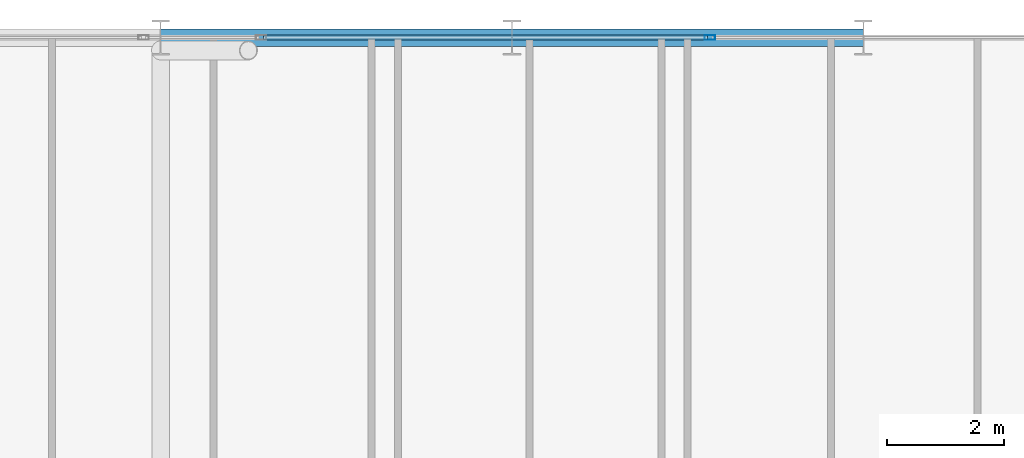
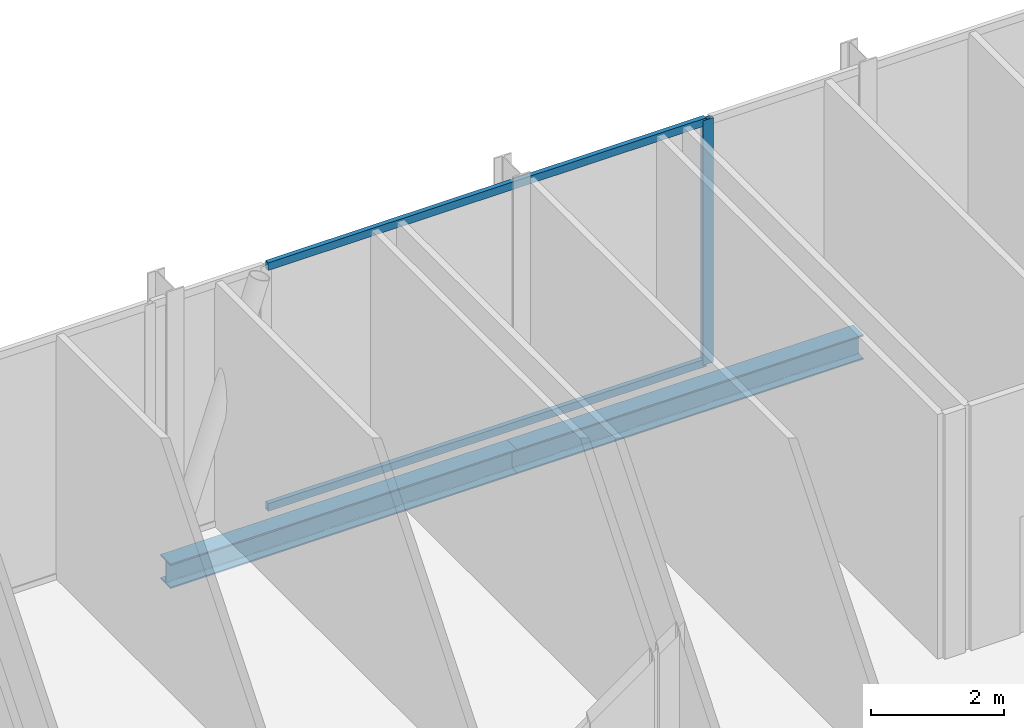
# One storey, part 19 of 29: 3 members, 2 beams, 1 element without a shape of its own.
"""IFC4 building model written with IfcOpenShell, lengths in metres."""

from ifc_helpers import new_model, si_unit, direction, frame, origin, origin_2d, place, context, subcontext, project, spatial, hollow_rectangle, i_section, extrude, material, layer, layer_set, material_profile, profile_set, type_object, element, aggregate, save


model = new_model("IFC4")

# Units and contexts
model_context = context("Model", 3, precision=1e-05, world=origin(), true_north=direction((0.0, 1.0)))
body_context = subcontext(model_context, "Body", "Model", "MODEL_VIEW")
ifc_project = project(units=[si_unit("LENGTHUNIT", "METRE"), si_unit("AREAUNIT", "SQUARE_METRE"), si_unit("VOLUMEUNIT", "CUBIC_METRE"), si_unit("PLANEANGLEUNIT", "RADIAN"), si_unit("MASSUNIT", "GRAM", prefix="KILO")], contexts=[model_context])

# Site, building, storey
site_placement = place(None, origin())
site = spatial("IfcSite", under=ifc_project, at=site_placement, CompositionType="ELEMENT")
building_placement = place(site_placement, origin())
building = spatial("IfcBuilding", under=site, at=building_placement, Name="Keshet Zoharim Tower", CompositionType="ELEMENT")
storey_placement = place(building_placement, frame((0.0, 0.0, 120.5)))
storey = spatial("IfcBuildingStorey", under=building, at=storey_placement, Name="L29", CompositionType="ELEMENT", Elevation=120.5)

# Beams
ifc_material_1 = material(Name="Steel S355", Category="steel")
ifc_material_profile_1 = material_profile(ifc_material_1, i_section(OverallWidth=0.300048828125, OverallDepth=0.449951171875, WebThickness=0.013916015625, FlangeThickness=0.02587890625, FilletRadius=0.027099609375, at=origin_2d()), Name="HEB450")
ifc_profile_set_1 = profile_set([ifc_material_profile_1], Name="Steel S355")
beam_type = type_object("IfcBeamType", Name="BM-WEB-HB450", PredefinedType="BEAM", material=ifc_profile_set_1)
for number, where, z_axis, x_axis, name in (
    (1, (33.0, 53.89990234375, -0.544921875), (1.0, 0.0, 0.0), (0.0, 1.0, 0.0), "L29 Primary Girder X-021"),
    (2, (39.0, 53.89990234375, -0.544921875), (1.0, 0.0, 0.0), (0.0, 1.0, 0.0), "L29 Primary Girder X-022"),
):
    element("IfcBeam", number, at=place(storey_placement, frame(where, z_axis=z_axis, x_axis=x_axis)), inside=storey, type_object=beam_type, Name=name, PredefinedType="BEAM", context=body_context, shape_type="SweptSolid", body=[
        extrude(i_section(OverallWidth=0.300048828125, OverallDepth=0.449951171875, WebThickness=0.013916015625, FlangeThickness=0.02587890625, FilletRadius=0.027099609375, at=origin_2d()), origin(), (0.0, 0.0, 1.0), 6.0),
    ])

# Curtain wall, members
ifc_material_2 = material(Name="Aluminium 6063-T6", Category="aluminium")
ifc_layer = layer(ifc_material_2, 0.14990234375)
ifc_layer_set = layer_set([ifc_layer], Name="Aluminium 6063-T6")
curtain_wall_type = type_object("IfcCurtainWallType", Name="CW-SYS-04", PredefinedType="NOTDEFINED", material=ifc_layer_set)
curtain_wall_placement = place(storey_placement, origin())
curtain_wall = element("IfcCurtainWall", 3, at=curtain_wall_placement, inside=storey, type_object=curtain_wall_type, Name="L29 Unitised Curtain Wall 13 Part 5", PredefinedType="NOTDEFINED")
ifc_material_profile_2 = material_profile(ifc_material_2, hollow_rectangle(XDim=0.080078125, YDim=0.179931640625, WallThickness=0.00439453125, at=origin_2d()), Name="MUL-80x180")
ifc_profile_set_2 = profile_set([ifc_material_profile_2], Name="Aluminium 6063-T6")
member_type_1 = type_object("IfcMemberType", Name="CWM-M18", PredefinedType="MULLION", material=ifc_profile_set_2)
member_1_placement = place(storey_placement, frame((42.376708984375, 53.89990234375, 0.0), z_axis=(0.0, 0.0, 1.0), x_axis=(0.0, 1.0, 0.0)))
member_1 = element("IfcMember", 4, at=member_1_placement, type_object=member_type_1, Name="CW-04 mullion 2", PredefinedType="MULLION", context=body_context, shape_type="SweptSolid", body=[
    extrude(hollow_rectangle(XDim=0.080078125, YDim=0.179931640625, WallThickness=0.00439453125, at=origin_2d()), origin(), (0.0, 0.0, 1.0), 4.47998046875),
])
ifc_material_profile_3 = material_profile(ifc_material_2, hollow_rectangle(XDim=0.080078125, YDim=0.139892578125, WallThickness=0.00390625, at=origin_2d()), Name="TRN-80x140")
ifc_profile_set_3 = profile_set([ifc_material_profile_3], Name="Aluminium 6063-T6")
member_type_2 = type_object("IfcMemberType", Name="CWT-T14", PredefinedType="USERDEFINED", material=ifc_profile_set_3)
member_2_placement = place(storey_placement, frame((34.753662109375, 53.89990234375, 0.034912109375), z_axis=(1.0, 0.0, 0.0), x_axis=(0.0, 1.0, 0.0)))
member_2 = element("IfcMember", 5, at=member_2_placement, type_object=member_type_2, Name="CW-04 transom 1.1", ObjectType="TRANSOM", PredefinedType="USERDEFINED", context=body_context, shape_type="SweptSolid", body=[
    extrude(hollow_rectangle(XDim=0.080078125, YDim=0.139892578125, WallThickness=0.00390625, at=origin_2d()), origin(), (0.0, 0.0, 1.0), 7.588134765625),
])
member_3_placement = place(storey_placement, frame((34.753662109375, 53.89990234375, 4.445068359375), z_axis=(1.0, 0.0, 0.0), x_axis=(0.0, 1.0, 0.0)))
member_3 = element("IfcMember", 6, at=member_3_placement, type_object=member_type_2, Name="CW-04 transom 1.2", ObjectType="TRANSOM", PredefinedType="USERDEFINED", context=body_context, shape_type="SweptSolid", body=[
    extrude(hollow_rectangle(XDim=0.080078125, YDim=0.139892578125, WallThickness=0.00390625, at=origin_2d()), origin(), (0.0, 0.0, 1.0), 7.588134765625),
])
aggregate(curtain_wall, [member_1, member_2, member_3])

save(model, "model.ifc")
